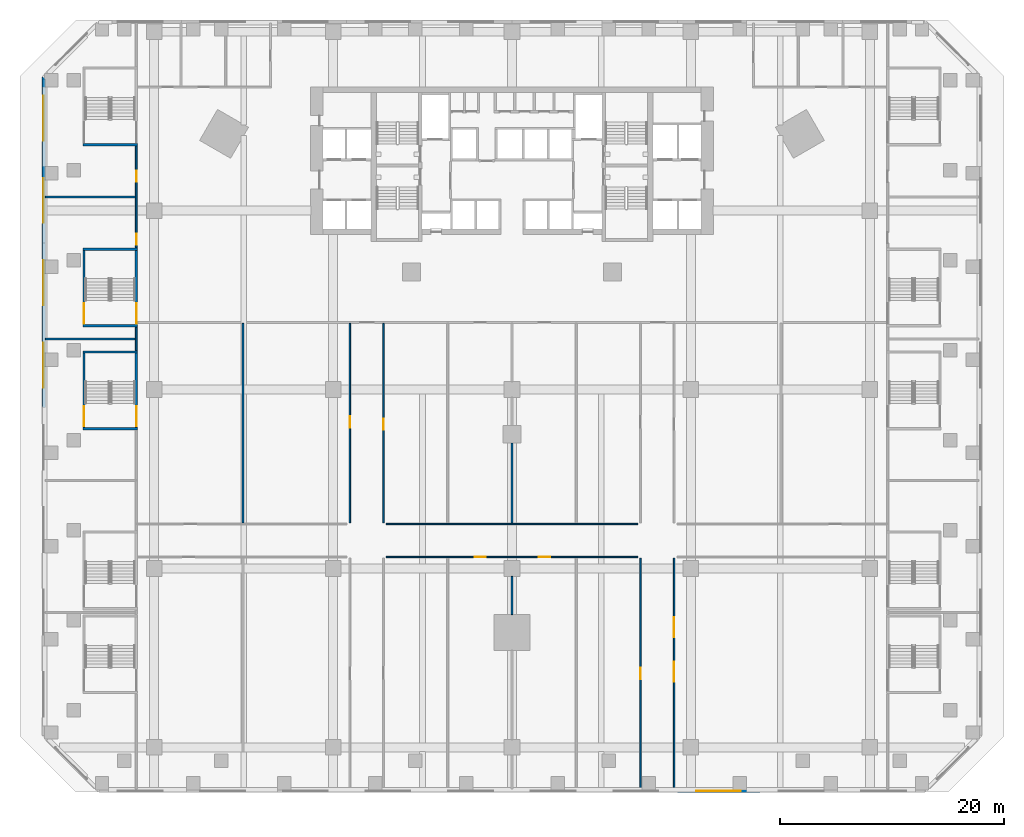
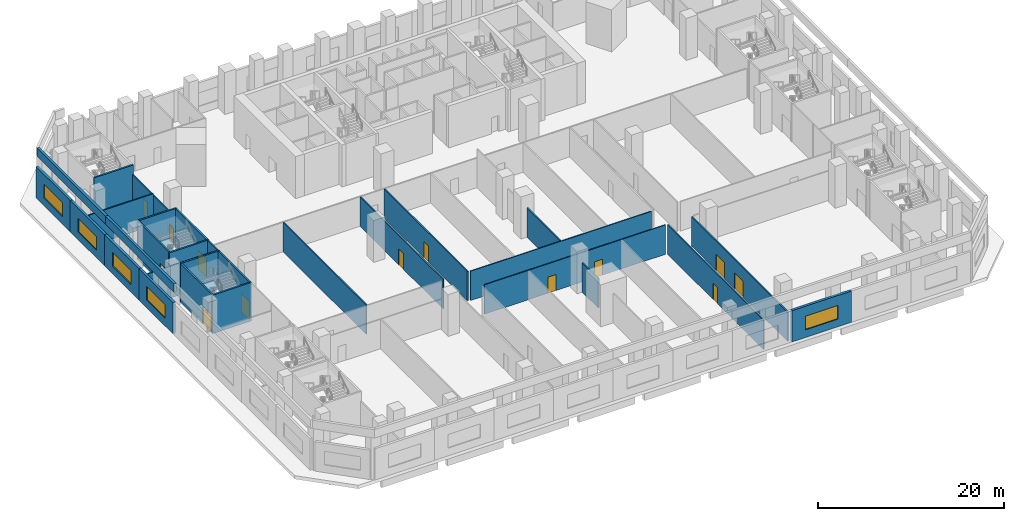
# One storey, part 5 of 22: 29 walls, 13 doors, 5 windows, 18 openings.
"""IFC4 building model written with IfcOpenShell, lengths in metres."""

from ifc_helpers import new_model, si_unit, direction, frame, frame_2d, origin, place, context, subcontext, project, spatial, rectangle, extrude, material, layer, layer_set, type_object, element, fill, save


model = new_model("IFC4")

# Units and contexts
model_context = context("Model", 3, precision=1e-05, world=origin(), true_north=direction((0.0, 1.0)))
body_context = subcontext(model_context, "Body", "Model", "MODEL_VIEW")
ifc_project = project(units=[si_unit("LENGTHUNIT", "METRE"), si_unit("AREAUNIT", "SQUARE_METRE"), si_unit("VOLUMEUNIT", "CUBIC_METRE"), si_unit("PLANEANGLEUNIT", "RADIAN"), si_unit("MASSUNIT", "GRAM", prefix="KILO")], contexts=[model_context])

# Site, building, storey
site_placement = place(None, origin())
site = spatial("IfcSite", under=ifc_project, at=site_placement, CompositionType="ELEMENT")
building_placement = place(site_placement, origin())
building = spatial("IfcBuilding", under=site, at=building_placement, Name="Calabash Gate Tower", CompositionType="ELEMENT")
storey_placement = place(building_placement, frame((0.0, 0.0, 34.5)))
storey = spatial("IfcBuildingStorey", under=building, at=storey_placement, Name="L04", CompositionType="ELEMENT", Elevation=34.5)

# Wall, opening, door
ifc_material_1 = material(Name="Gypsum board on steel studs, mineral wool", Category="steel")
ifc_layer_1 = layer(ifc_material_1, 0.14990234375)
ifc_layer_set_1 = layer_set([ifc_layer_1], Name="Partition 150 gypsum board")
wall_type_1 = type_object("IfcWallType", Name="Partition 150 gypsum board", PredefinedType="PARTITIONING", material=ifc_layer_set_1)
wall_1_placement = place(storey_placement, frame((11.5, -43.719970703125, 0.0), z_axis=(0.0, 0.0, 1.0), x_axis=(0.0, 1.0, 0.0)))
wall_1 = element("IfcWall", 1, at=wall_1_placement, inside=storey, type_object=wall_type_1, Name="Partition", PredefinedType="PARTITIONING", context=body_context, shape_type="SweptSolid", body=[
    extrude(rectangle(XDim=20.64501953125, YDim=0.14990234375, at=frame_2d((10.322509765625, 0.0))), origin(), (0.0, 0.0, 1.0), 3.85009765625),
])
opening_1_placement = place(wall_1_placement, frame((9.820068359375, 0.0, 0.0)))
opening_1 = element("IfcOpeningElement", 2, at=opening_1_placement, cuts=wall_1, Name="Opening L04-063", PredefinedType="OPENING", context=body_context, shape_type="SweptSolid", body=[
    extrude(rectangle(XDim=1.0, YDim=2.10009765625, at=frame_2d((0.5, 1.050048828125))), frame((0.0, 0.0849609375, 0.0), z_axis=(0.0, -1.0, 0.0), x_axis=(1.0, 0.0, 0.0)), (0.0, 0.0, 1.0), 0.169921875),
])
ifc_material_2 = material(Name="Steel fire door set with fire-resisting glazing", Category="steel")
door_type_1 = type_object("IfcDoorType", Name="Fire door D11 1000x2100 FD60", OperationType="NOTDEFINED", PredefinedType="DOOR", material=ifc_material_2)
door_1_placement = place(opening_1_placement, origin())
door_1 = element("IfcDoor", 3, at=door_1_placement, inside=storey, type_object=door_type_1, Name="Meeting Room 414 door", OperationType="SINGLE_SWING_LEFT", OverallHeight=2.10009765625, OverallWidth=1.0, PredefinedType="DOOR", context=body_context, shape_type="SweptSolid", body=[
    extrude(rectangle(XDim=1.0, YDim=2.10009765625, at=frame_2d((0.5, 1.050048828125))), frame((0.0, 0.02490234375, 0.0), z_axis=(0.0, -1.0, 0.0), x_axis=(1.0, 0.0, 0.0)), (0.0, 0.0, 1.0), 0.050048828125),
])
fill(opening_1, door_1)

# Wall, openings, doors
wall_2_placement = place(storey_placement, frame((14.5, -43.719970703125, 0.0), z_axis=(0.0, 0.0, 1.0), x_axis=(0.0, 1.0, 0.0)))
wall_2 = element("IfcWall", 4, at=wall_2_placement, inside=storey, type_object=wall_type_1, Name="Partition", PredefinedType="PARTITIONING", context=body_context, shape_type="SweptSolid", body=[
    extrude(rectangle(XDim=20.64501953125, YDim=0.14990234375, at=frame_2d((10.322509765625, 0.0))), origin(), (0.0, 0.0, 1.0), 3.85009765625),
])
opening_2_placement = place(wall_2_placement, frame((9.570068359375, 0.0, 0.0)))
opening_2 = element("IfcOpeningElement", 5, at=opening_2_placement, cuts=wall_2, Name="Opening L04-048", PredefinedType="OPENING", context=body_context, shape_type="SweptSolid", body=[
    extrude(rectangle(XDim=1.800048828125, YDim=2.10009765625, at=frame_2d((0.89990234375, 1.050048828125))), frame((0.0, 0.0849609375, 0.0), z_axis=(0.0, -1.0, 0.0), x_axis=(1.0, 0.0, 0.0)), (0.0, 0.0, 1.0), 0.169921875),
])
opening_3_placement = place(wall_2_placement, frame((13.570068359375, 0.0, 0.0)))
opening_3 = element("IfcOpeningElement", 6, at=opening_3_placement, cuts=wall_2, Name="Opening L04-049", PredefinedType="OPENING", context=body_context, shape_type="SweptSolid", body=[
    extrude(rectangle(XDim=1.800048828125, YDim=2.10009765625, at=frame_2d((0.89990234375, 1.050048828125))), frame((0.0, 0.0849609375, 0.0), z_axis=(0.0, -1.0, 0.0), x_axis=(1.0, 0.0, 0.0)), (0.0, 0.0, 1.0), 0.169921875),
])
ifc_material_3 = material(Name="Steel fire door set with fire-resisting glazing", Category="steel")
door_type_2 = type_object("IfcDoorType", Name="Double fire door D17 1800x2100 FD60", OperationType="DOUBLE_DOOR_SINGLE_SWING", PredefinedType="DOOR", material=ifc_material_3)
door_2_placement = place(opening_2_placement, origin())
door_2 = element("IfcDoor", 7, at=door_2_placement, inside=storey, type_object=door_type_2, Name="Business Centre door", OperationType="DOUBLE_DOOR_SINGLE_SWING", OverallHeight=2.10009765625, OverallWidth=1.800048828125, PredefinedType="DOOR", context=body_context, shape_type="SweptSolid", body=[
    extrude(rectangle(XDim=1.800048828125, YDim=2.10009765625, at=frame_2d((0.89990234375, 1.050048828125))), frame((0.0, 0.02490234375, 0.0), z_axis=(0.0, -1.0, 0.0), x_axis=(1.0, 0.0, 0.0)), (0.0, 0.0, 1.0), 0.050048828125),
])
fill(opening_2, door_2)
door_3_placement = place(opening_3_placement, origin())
door_3 = element("IfcDoor", 8, at=door_3_placement, inside=storey, type_object=door_type_2, Name="Business Centre door", OperationType="DOUBLE_DOOR_SINGLE_SWING", OverallHeight=2.10009765625, OverallWidth=1.800048828125, PredefinedType="DOOR", context=body_context, shape_type="SweptSolid", body=[
    extrude(rectangle(XDim=1.800048828125, YDim=2.10009765625, at=frame_2d((0.89990234375, 1.050048828125))), frame((0.0, 0.02490234375, 0.0), z_axis=(0.0, -1.0, 0.0), x_axis=(1.0, 0.0, 0.0)), (0.0, 0.0, 1.0), 0.050048828125),
])
fill(opening_3, door_3)

# Wall
wall_3_placement = place(storey_placement, frame((0.0, -28.133056640625, 0.0), z_axis=(0.0, 0.0, 1.0), x_axis=(0.0, 1.0, 0.0)))
element("IfcWall", 9, at=wall_3_placement, inside=storey, type_object=wall_type_1, Name="Partition", PredefinedType="PARTITIONING", context=body_context, shape_type="SweptSolid", body=[
    extrude(rectangle(XDim=3.43310546875, YDim=0.14990234375, at=frame_2d((1.716552734375, 0.0))), origin(), (0.0, 0.0, 1.0), 3.85009765625),
])

# Wall, openings, doors
wall_4_placement = place(storey_placement, frame((-11.22998046875, -22.982421875, 0.0), z_axis=(0.0, 0.0, 1.0), x_axis=(1.0, 0.0, 0.0)))
wall_4 = element("IfcWall", 10, at=wall_4_placement, inside=storey, type_object=wall_type_1, Name="Partition", PredefinedType="PARTITIONING", context=body_context, shape_type="SweptSolid", body=[
    extrude(rectangle(XDim=22.4599609375, YDim=0.114990234375, at=frame_2d((11.22998046875, 0.0))), origin(), (0.0, 0.0, 1.0), 3.85009765625),
])
opening_4_placement = place(wall_4_placement, frame((7.8798828125, 0.0, 0.0)))
opening_4 = element("IfcOpeningElement", 11, at=opening_4_placement, cuts=wall_4, Name="Opening L04-061", PredefinedType="OPENING", context=body_context, shape_type="SweptSolid", body=[
    extrude(rectangle(XDim=1.0, YDim=2.10009765625, at=frame_2d((0.5, 1.050048828125))), frame((0.0, 0.0673828125, 0.0), z_axis=(0.0, -1.0, 0.0), x_axis=(1.0, 0.0, 0.0)), (0.0, 0.0, 1.0), 0.135009765625),
])
opening_5_placement = place(wall_4_placement, frame((13.6298828125, 0.0, 0.0)))
opening_5 = element("IfcOpeningElement", 12, at=opening_5_placement, cuts=wall_4, Name="Opening L04-062", PredefinedType="OPENING", context=body_context, shape_type="SweptSolid", body=[
    extrude(rectangle(XDim=1.0, YDim=2.10009765625, at=frame_2d((0.5, 1.050048828125))), frame((0.0, 0.0673828125, 0.0), z_axis=(0.0, -1.0, 0.0), x_axis=(1.0, 0.0, 0.0)), (0.0, 0.0, 1.0), 0.135009765625),
])
door_4_placement = place(opening_4_placement, origin())
door_4 = element("IfcDoor", 13, at=door_4_placement, inside=storey, type_object=door_type_1, Name="Meeting Room 412 door", OperationType="SINGLE_SWING_RIGHT", OverallHeight=2.10009765625, OverallWidth=1.0, PredefinedType="DOOR", context=body_context, shape_type="SweptSolid", body=[
    extrude(rectangle(XDim=1.0, YDim=2.10009765625, at=frame_2d((0.5, 1.050048828125))), frame((0.0, 0.02490234375, 0.0), z_axis=(0.0, -1.0, 0.0), x_axis=(1.0, 0.0, 0.0)), (0.0, 0.0, 1.0), 0.050048828125),
])
fill(opening_4, door_4)
door_5_placement = place(opening_5_placement, origin())
door_5 = element("IfcDoor", 14, at=door_5_placement, inside=storey, type_object=door_type_1, Name="Meeting Room 413 door", OperationType="SINGLE_SWING_LEFT", OverallHeight=2.10009765625, OverallWidth=1.0, PredefinedType="DOOR", context=body_context, shape_type="SweptSolid", body=[
    extrude(rectangle(XDim=1.0, YDim=2.10009765625, at=frame_2d((0.5, 1.050048828125))), frame((0.0, 0.02490234375, 0.0), z_axis=(0.0, -1.0, 0.0), x_axis=(1.0, 0.0, 0.0)), (0.0, 0.0, 1.0), 0.050048828125),
])
fill(opening_5, door_5)

# Walls
wall_5_placement = place(storey_placement, frame((-11.22998046875, -20.017578125, 0.0), z_axis=(0.0, 0.0, 1.0), x_axis=(1.0, 0.0, 0.0)))
element("IfcWall", 15, at=wall_5_placement, inside=storey, type_object=wall_type_1, Name="Partition", PredefinedType="PARTITIONING", context=body_context, shape_type="SweptSolid", body=[
    extrude(rectangle(XDim=22.4599609375, YDim=0.114990234375, at=frame_2d((11.22998046875, 0.0))), origin(), (0.0, 0.0, 1.0), 3.85009765625),
])
wall_6_placement = place(storey_placement, frame((-24.050048828125, -19.925048828125, 0.0), z_axis=(0.0, 0.0, 1.0), x_axis=(0.0, 1.0, 0.0)))
element("IfcWall", 16, at=wall_6_placement, inside=storey, type_object=wall_type_1, Name="Partition", PredefinedType="PARTITIONING", context=body_context, shape_type="SweptSolid", body=[
    extrude(rectangle(XDim=17.85009765625, YDim=0.14990234375, at=frame_2d((8.925048828125, 0.0))), origin(), (0.0, 0.0, 1.0), 3.85009765625),
])

# Wall, opening, door
wall_7_placement = place(storey_placement, frame((-14.5, -19.925048828125, 0.0), z_axis=(0.0, 0.0, 1.0), x_axis=(0.0, 1.0, 0.0)))
wall_7 = element("IfcWall", 17, at=wall_7_placement, inside=storey, type_object=wall_type_1, Name="Partition", PredefinedType="PARTITIONING", context=body_context, shape_type="SweptSolid", body=[
    extrude(rectangle(XDim=17.85009765625, YDim=0.14990234375, at=frame_2d((8.925048828125, 0.0))), origin(), (0.0, 0.0, 1.0), 3.85009765625),
])
opening_6_placement = place(wall_7_placement, frame((8.52490234375, 0.0, 0.0)))
opening_6 = element("IfcOpeningElement", 18, at=opening_6_placement, cuts=wall_7, Name="Opening L04-051", PredefinedType="OPENING", context=body_context, shape_type="SweptSolid", body=[
    extrude(rectangle(XDim=1.0, YDim=2.10009765625, at=frame_2d((0.5, 1.050048828125))), frame((0.0, 0.0849609375, 0.0), z_axis=(0.0, -1.0, 0.0), x_axis=(1.0, 0.0, 0.0)), (0.0, 0.0, 1.0), 0.169921875),
])
door_6_placement = place(opening_6_placement, origin())
door_6 = element("IfcDoor", 19, at=door_6_placement, inside=storey, type_object=door_type_1, Name="Meeting Room 402 door", OperationType="SINGLE_SWING_LEFT", OverallHeight=2.10009765625, OverallWidth=1.0, PredefinedType="DOOR", context=body_context, shape_type="SweptSolid", body=[
    extrude(rectangle(XDim=1.0, YDim=2.10009765625, at=frame_2d((0.5, 1.050048828125))), frame((0.0, 0.02490234375, 0.0), z_axis=(0.0, -1.0, 0.0), x_axis=(1.0, 0.0, 0.0)), (0.0, 0.0, 1.0), 0.050048828125),
])
fill(opening_6, door_6)

wall_8_placement = place(storey_placement, frame((-11.5, -19.925048828125, 0.0), z_axis=(0.0, 0.0, 1.0), x_axis=(0.0, 1.0, 0.0)))
wall_8 = element("IfcWall", 20, at=wall_8_placement, inside=storey, type_object=wall_type_1, Name="Partition", PredefinedType="PARTITIONING", context=body_context, shape_type="SweptSolid", body=[
    extrude(rectangle(XDim=17.85009765625, YDim=0.14990234375, at=frame_2d((8.925048828125, 0.0))), origin(), (0.0, 0.0, 1.0), 3.85009765625),
])
opening_7_placement = place(wall_8_placement, frame((8.324951171875, 0.0, 0.0)))
opening_7 = element("IfcOpeningElement", 21, at=opening_7_placement, cuts=wall_8, Name="Opening L04-052", PredefinedType="OPENING", context=body_context, shape_type="SweptSolid", body=[
    extrude(rectangle(XDim=1.0, YDim=2.10009765625, at=frame_2d((0.5, 1.050048828125))), frame((0.0, 0.0849609375, 0.0), z_axis=(0.0, -1.0, 0.0), x_axis=(1.0, 0.0, 0.0)), (0.0, 0.0, 1.0), 0.169921875),
])
door_7_placement = place(opening_7_placement, origin())
door_7 = element("IfcDoor", 22, at=door_7_placement, inside=storey, type_object=door_type_1, Name="Meeting Room 403 door", OperationType="SINGLE_SWING_LEFT", OverallHeight=2.10009765625, OverallWidth=1.0, PredefinedType="DOOR", context=body_context, shape_type="SweptSolid", body=[
    extrude(rectangle(XDim=1.0, YDim=2.10009765625, at=frame_2d((0.5, 1.050048828125))), frame((0.0, 0.02490234375, 0.0), z_axis=(0.0, -1.0, 0.0), x_axis=(1.0, 0.0, 0.0)), (0.0, 0.0, 1.0), 0.050048828125),
])
fill(opening_7, door_7)

# Walls
wall_9_placement = place(storey_placement, frame((0.0, -19.925048828125, 0.0), z_axis=(0.0, 0.0, 1.0), x_axis=(0.0, 1.0, 0.0)))
element("IfcWall", 23, at=wall_9_placement, inside=storey, type_object=wall_type_1, Name="Partition", PredefinedType="PARTITIONING", context=body_context, shape_type="SweptSolid", body=[
    extrude(rectangle(XDim=7.125, YDim=0.14990234375, at=frame_2d((3.5625, 0.0))), origin(), (0.0, 0.0, 1.0), 3.85009765625),
])
wall_10_placement = place(storey_placement, frame((-33.60009765625, -4.510009765625, 0.0), z_axis=(0.0, 0.0, 1.0), x_axis=(0.0, 1.0, 0.0)))
element("IfcWall", 24, at=wall_10_placement, inside=storey, type_object=wall_type_1, Name="Partition", PredefinedType="PARTITIONING", context=body_context, shape_type="SweptSolid", body=[
    extrude(rectangle(XDim=2.070068359375, YDim=0.14990234375, at=frame_2d((1.03515625, 0.0))), origin(), (0.0, 0.0, 1.0), 5.050048828125),
])
wall_11_placement = place(storey_placement, frame((-41.719970703125, -3.47509765625, 0.0), z_axis=(0.0, 0.0, 1.0), x_axis=(1.0, 0.0, 0.0)))
element("IfcWall", 25, at=wall_11_placement, inside=storey, type_object=wall_type_1, Name="Partition", PredefinedType="PARTITIONING", context=body_context, shape_type="SweptSolid", body=[
    extrude(rectangle(XDim=8.044921875, YDim=0.14990234375, at=frame_2d((4.0224609375, 0.0))), origin(), (0.0, 0.0, 1.0), 4.14990234375),
])

# Wall, openings, doors
wall_12_placement = place(storey_placement, frame((-33.60009765625, 4.68994140625, 0.0), z_axis=(0.0, 0.0, 1.0), x_axis=(0.0, 1.0, 0.0)))
wall_12 = element("IfcWall", 26, at=wall_12_placement, inside=storey, type_object=wall_type_1, Name="Partition", PredefinedType="PARTITIONING", context=body_context, shape_type="SweptSolid", body=[
    extrude(rectangle(XDim=9.070068359375, YDim=0.14990234375, at=frame_2d((4.53515625, 0.0))), origin(), (0.0, 0.0, 1.0), 3.85009765625),
])
opening_8_placement = place(wall_12_placement, frame((0.260986328125, 0.0, 0.0)))
opening_8 = element("IfcOpeningElement", 27, at=opening_8_placement, cuts=wall_12, Name="Opening L04-064", PredefinedType="OPENING", context=body_context, shape_type="SweptSolid", body=[
    extrude(rectangle(XDim=1.0, YDim=2.10009765625, at=frame_2d((0.5, 1.050048828125))), frame((0.0, 0.0849609375, 0.0), z_axis=(0.0, -1.0, 0.0), x_axis=(1.0, 0.0, 0.0)), (0.0, 0.0, 1.0), 0.169921875),
])
opening_9_placement = place(wall_12_placement, frame((5.885009765625, 0.0, 0.0)))
opening_9 = element("IfcOpeningElement", 28, at=opening_9_placement, cuts=wall_12, Name="Opening L04-065", PredefinedType="OPENING", context=body_context, shape_type="SweptSolid", body=[
    extrude(rectangle(XDim=1.0, YDim=2.10009765625, at=frame_2d((0.5, 1.050048828125))), frame((0.0, 0.0849609375, 0.0), z_axis=(0.0, -1.0, 0.0), x_axis=(1.0, 0.0, 0.0)), (0.0, 0.0, 1.0), 0.169921875),
])
door_8_placement = place(opening_8_placement, origin())
door_8 = element("IfcDoor", 29, at=door_8_placement, inside=storey, type_object=door_type_1, Name="Meeting Room 443 door", OperationType="SINGLE_SWING_LEFT", OverallHeight=2.10009765625, OverallWidth=1.0, PredefinedType="DOOR", context=body_context, shape_type="SweptSolid", body=[
    extrude(rectangle(XDim=1.0, YDim=2.10009765625, at=frame_2d((0.5, 1.050048828125))), frame((0.0, 0.02490234375, 0.0), z_axis=(0.0, -1.0, 0.0), x_axis=(1.0, 0.0, 0.0)), (0.0, 0.0, 1.0), 0.050048828125),
])
fill(opening_8, door_8)
door_9_placement = place(opening_9_placement, origin())
door_9 = element("IfcDoor", 30, at=door_9_placement, inside=storey, type_object=door_type_1, Name="Print Room door", OperationType="SINGLE_SWING_LEFT", OverallHeight=2.10009765625, OverallWidth=1.0, PredefinedType="DOOR", context=body_context, shape_type="SweptSolid", body=[
    extrude(rectangle(XDim=1.0, YDim=2.10009765625, at=frame_2d((0.5, 1.050048828125))), frame((0.0, 0.02490234375, 0.0), z_axis=(0.0, -1.0, 0.0), x_axis=(1.0, 0.0, 0.0)), (0.0, 0.0, 1.0), 0.050048828125),
])
fill(opening_9, door_9)

# Wall
wall_13_placement = place(storey_placement, frame((-41.719970703125, 9.22509765625, 0.0), z_axis=(0.0, 0.0, 1.0), x_axis=(1.0, 0.0, 0.0)))
element("IfcWall", 31, at=wall_13_placement, inside=storey, type_object=wall_type_1, Name="Partition", PredefinedType="PARTITIONING", context=body_context, shape_type="SweptSolid", body=[
    extrude(rectangle(XDim=8.044921875, YDim=0.14990234375, at=frame_2d((4.0224609375, 0.0))), origin(), (0.0, 0.0, 1.0), 4.14990234375),
])

# Wall, opening, window
ifc_material_4 = material(Name="Terracotta brick masonry, exposed face", Category="masonry")
ifc_layer_2 = layer(ifc_material_4, 0.300048828125)
ifc_layer_set_2 = layer_set([ifc_layer_2], Name="Podium brick wall 300")
wall_type_2 = type_object("IfcWallType", Name="Podium brick wall 300", PredefinedType="SOLIDWALL", material=ifc_layer_set_2)
wall_14_placement = place(storey_placement, frame((14.780029296875, -43.89990234375, 0.0), z_axis=(0.0, 0.0, 1.0), x_axis=(1.0, 0.0, 0.0)))
wall_14 = element("IfcWall", 32, at=wall_14_placement, inside=storey, type_object=wall_type_2, Name="Podium brick wall L04 0.0.7", PredefinedType="SOLIDWALL", context=body_context, shape_type="SweptSolid", body=[
    extrude(rectangle(XDim=7.389892578125, YDim=0.300048828125, at=frame_2d((3.69482421875, 0.0))), origin(), (0.0, 0.0, 1.0), 4.10009765625),
])
opening_10_placement = place(wall_14_placement, frame((1.695068359375, 0.0, 1.0)))
opening_10 = element("IfcOpeningElement", 33, at=opening_10_placement, cuts=wall_14, Name="Opening WM1", PredefinedType="OPENING", context=body_context, shape_type="SweptSolid", body=[
    extrude(rectangle(XDim=4.0, YDim=1.800048828125, at=frame_2d((2.0, 0.89990234375))), frame((0.0, 0.159912109375, 0.0), z_axis=(0.0, -1.0, 0.0), x_axis=(1.0, 0.0, 0.0)), (0.0, 0.0, 1.0), 0.320068359375),
])
ifc_material_5 = material(Name="Anodised aluminium frame, bronze finish, impact-rated laminated clear glazing", Category="aluminium")
window_type = type_object("IfcWindowType", Name="Window WM1 4000x1800", PartitioningType="TRIPLE_PANEL_VERTICAL", PredefinedType="WINDOW", material=ifc_material_5)
window_1_placement = place(opening_10_placement, origin())
window_1 = element("IfcWindow", 34, at=window_1_placement, inside=storey, type_object=window_type, Name="Meeting room window L04 0.0.7", OverallHeight=1.800048828125, OverallWidth=4.0, PartitioningType="SINGLE_PANEL", PredefinedType="WINDOW", context=body_context, shape_type="SweptSolid", body=[
    extrude(rectangle(XDim=4.0, YDim=1.800048828125, at=frame_2d((2.0, 0.89990234375))), frame((0.0, 0.030029296875, 0.0), z_axis=(0.0, -1.0, 0.0), x_axis=(1.0, 0.0, 0.0)), (0.0, 0.0, 1.0), 0.06005859375),
])
fill(opening_10, window_1)

wall_15_placement = place(storey_placement, frame((-41.89990234375, 19.949951171875, 0.0), z_axis=(0.0, 0.0, 1.0), x_axis=(0.0, -1.0, 0.0)))
wall_15 = element("IfcWall", 35, at=wall_15_placement, inside=storey, type_object=wall_type_2, Name="Podium brick wall L04 6.0.0", PredefinedType="SOLIDWALL", context=body_context, shape_type="SweptSolid", body=[
    extrude(rectangle(XDim=7.362548828125, YDim=0.300048828125, at=frame_2d((3.68115234375, 0.0))), origin(), (0.0, 0.0, 1.0), 4.10009765625),
])
opening_11_placement = place(wall_15_placement, frame((1.68115234375, 0.0, 1.0)))
opening_11 = element("IfcOpeningElement", 36, at=opening_11_placement, cuts=wall_15, Name="Opening WM1", PredefinedType="OPENING", context=body_context, shape_type="SweptSolid", body=[
    extrude(rectangle(XDim=4.0, YDim=1.800048828125, at=frame_2d((2.0, 0.89990234375))), frame((0.0, 0.159912109375, 0.0), z_axis=(0.0, -1.0, 0.0), x_axis=(1.0, 0.0, 0.0)), (0.0, 0.0, 1.0), 0.320068359375),
])
window_2_placement = place(opening_11_placement, origin())
window_2 = element("IfcWindow", 37, at=window_2_placement, inside=storey, type_object=window_type, Name="Meeting room window L04 6.0.0", OverallHeight=1.800048828125, OverallWidth=4.0, PartitioningType="SINGLE_PANEL", PredefinedType="WINDOW", context=body_context, shape_type="SweptSolid", body=[
    extrude(rectangle(XDim=4.0, YDim=1.800048828125, at=frame_2d((2.0, 0.89990234375))), frame((0.0, 0.030029296875, 0.0), z_axis=(0.0, -1.0, 0.0), x_axis=(1.0, 0.0, 0.0)), (0.0, 0.0, 1.0), 0.06005859375),
])
fill(opening_11, window_2)

wall_16_placement = place(storey_placement, frame((-41.89990234375, 12.58740234375, 0.0), z_axis=(0.0, 0.0, 1.0), x_axis=(0.0, -1.0, 0.0)))
wall_16 = element("IfcWall", 38, at=wall_16_placement, inside=storey, type_object=wall_type_2, Name="Podium brick wall L04 6.0.1", PredefinedType="SOLIDWALL", context=body_context, shape_type="SweptSolid", body=[
    extrude(rectangle(XDim=7.3623046875, YDim=0.300048828125, at=frame_2d((3.68115234375, 0.0))), origin(), (0.0, 0.0, 1.0), 4.10009765625),
])
opening_12_placement = place(wall_16_placement, frame((1.68115234375, 0.0, 1.0)))
opening_12 = element("IfcOpeningElement", 39, at=opening_12_placement, cuts=wall_16, Name="Opening WM1", PredefinedType="OPENING", context=body_context, shape_type="SweptSolid", body=[
    extrude(rectangle(XDim=4.0, YDim=1.800048828125, at=frame_2d((2.0, 0.89990234375))), frame((0.0, 0.159912109375, 0.0), z_axis=(0.0, -1.0, 0.0), x_axis=(1.0, 0.0, 0.0)), (0.0, 0.0, 1.0), 0.320068359375),
])
window_3_placement = place(opening_12_placement, origin())
window_3 = element("IfcWindow", 40, at=window_3_placement, inside=storey, type_object=window_type, Name="Meeting room window L04 6.0.1", OverallHeight=1.800048828125, OverallWidth=4.0, PartitioningType="SINGLE_PANEL", PredefinedType="WINDOW", context=body_context, shape_type="SweptSolid", body=[
    extrude(rectangle(XDim=4.0, YDim=1.800048828125, at=frame_2d((2.0, 0.89990234375))), frame((0.0, 0.030029296875, 0.0), z_axis=(0.0, -1.0, 0.0), x_axis=(1.0, 0.0, 0.0)), (0.0, 0.0, 1.0), 0.06005859375),
])
fill(opening_12, window_3)

wall_17_placement = place(storey_placement, frame((-41.89990234375, 5.22509765625, 0.0), z_axis=(0.0, 0.0, 1.0), x_axis=(0.0, -1.0, 0.0)))
wall_17 = element("IfcWall", 41, at=wall_17_placement, inside=storey, type_object=wall_type_2, Name="Podium brick wall L04 6.0.2", PredefinedType="SOLIDWALL", context=body_context, shape_type="SweptSolid", body=[
    extrude(rectangle(XDim=7.362548828125, YDim=0.300048828125, at=frame_2d((3.68115234375, 0.0))), origin(), (0.0, 0.0, 1.0), 4.10009765625),
])
opening_13_placement = place(wall_17_placement, frame((1.68115234375, 0.0, 1.0)))
opening_13 = element("IfcOpeningElement", 42, at=opening_13_placement, cuts=wall_17, Name="Opening WM1", PredefinedType="OPENING", context=body_context, shape_type="SweptSolid", body=[
    extrude(rectangle(XDim=4.0, YDim=1.800048828125, at=frame_2d((2.0, 0.89990234375))), frame((0.0, 0.159912109375, 0.0), z_axis=(0.0, -1.0, 0.0), x_axis=(1.0, 0.0, 0.0)), (0.0, 0.0, 1.0), 0.320068359375),
])
window_4_placement = place(opening_13_placement, origin())
window_4 = element("IfcWindow", 43, at=window_4_placement, inside=storey, type_object=window_type, Name="Meeting room window L04 6.0.2", OverallHeight=1.800048828125, OverallWidth=4.0, PartitioningType="SINGLE_PANEL", PredefinedType="WINDOW", context=body_context, shape_type="SweptSolid", body=[
    extrude(rectangle(XDim=4.0, YDim=1.800048828125, at=frame_2d((2.0, 0.89990234375))), frame((0.0, 0.030029296875, 0.0), z_axis=(0.0, -1.0, 0.0), x_axis=(1.0, 0.0, 0.0)), (0.0, 0.0, 1.0), 0.06005859375),
])
fill(opening_13, window_4)

wall_18_placement = place(storey_placement, frame((-41.89990234375, -2.137451171875, 0.0), z_axis=(0.0, 0.0, 1.0), x_axis=(0.0, -1.0, 0.0)))
wall_18 = element("IfcWall", 44, at=wall_18_placement, inside=storey, type_object=wall_type_2, Name="Podium brick wall L04 6.0.3", PredefinedType="SOLIDWALL", context=body_context, shape_type="SweptSolid", body=[
    extrude(rectangle(XDim=7.362548828125, YDim=0.300048828125, at=frame_2d((3.68115234375, 0.0))), origin(), (0.0, 0.0, 1.0), 4.10009765625),
])
opening_14_placement = place(wall_18_placement, frame((1.68115234375, 0.0, 1.0)))
opening_14 = element("IfcOpeningElement", 45, at=opening_14_placement, cuts=wall_18, Name="Opening WM1", PredefinedType="OPENING", context=body_context, shape_type="SweptSolid", body=[
    extrude(rectangle(XDim=4.0, YDim=1.800048828125, at=frame_2d((2.0, 0.89990234375))), frame((0.0, 0.159912109375, 0.0), z_axis=(0.0, -1.0, 0.0), x_axis=(1.0, 0.0, 0.0)), (0.0, 0.0, 1.0), 0.320068359375),
])
window_5_placement = place(opening_14_placement, origin())
window_5 = element("IfcWindow", 46, at=window_5_placement, inside=storey, type_object=window_type, Name="Meeting room window L04 6.0.3", OverallHeight=1.800048828125, OverallWidth=4.0, PartitioningType="SINGLE_PANEL", PredefinedType="WINDOW", context=body_context, shape_type="SweptSolid", body=[
    extrude(rectangle(XDim=4.0, YDim=1.800048828125, at=frame_2d((2.0, 0.89990234375))), frame((0.0, 0.030029296875, 0.0), z_axis=(0.0, -1.0, 0.0), x_axis=(1.0, 0.0, 0.0)), (0.0, 0.0, 1.0), 0.06005859375),
])
fill(opening_14, window_5)

# Walls
ifc_material_6 = material(Name="Terracotta brick masonry, exposed face", Category="masonry")
ifc_layer_3 = layer(ifc_material_6, 0.300048828125)
ifc_layer_set_3 = layer_set([ifc_layer_3], Name="Podium parapet wall 300")
wall_type_3 = type_object("IfcWallType", Name="Podium parapet wall 300", PredefinedType="PARAPET", material=ifc_layer_set_3)
for number, where, z_axis, x_axis, name in (
    (47, (-41.85009765625, 19.7900390625, 5.5), (0.0, 0.0, 1.0), (0.0, -1.0, 0.0), "Podium parapet L04 6.0.0"),
    (48, (-41.85009765625, 5.092529296875, 5.5), (0.0, 0.0, 1.0), (0.0, -1.0, 0.0), "Podium parapet L04 6.0.1"),
):
    element("IfcWall", number, at=place(storey_placement, frame(where, z_axis=z_axis, x_axis=x_axis)), inside=storey, type_object=wall_type_3, Name=name, PredefinedType="PARAPET", context=body_context, shape_type="SweptSolid", body=[
        extrude(rectangle(XDim=14.697509765625, YDim=0.300048828125, at=frame_2d((7.3486328125, 0.0))), origin(), (0.0, 0.0, 1.0), 1.10009765625),
    ])
ifc_material_7 = material(Name="Concrete C40/50", Category="concrete")
ifc_layer_4 = layer(ifc_material_7, 0.199951171875)
ifc_layer_set_4 = layer_set([ifc_layer_4], Name="Stair wall 200 Concrete C40/50")
wall_type_4 = type_object("IfcWallType", Name="Stair wall 200 Concrete C40/50", PredefinedType="SOLIDWALL", material=ifc_layer_set_4)
for number, where, z_axis, x_axis, name in (
    (49, (-38.3701171875, -11.5, 0.0), (0.0, 0.0, 1.0), (1.0, 0.0, 0.0), "Stair wall"),
    (50, (-38.3701171875, -4.64990234375, 0.0), (0.0, 0.0, 1.0), (1.0, 0.0, 0.0), "Stair wall"),
):
    element("IfcWall", number, at=place(storey_placement, frame(where, z_axis=z_axis, x_axis=x_axis)), inside=storey, type_object=wall_type_4, Name=name, PredefinedType="SOLIDWALL", context=body_context, shape_type="SweptSolid", body=[
        extrude(rectangle(XDim=4.8701171875, YDim=0.199951171875, at=frame_2d((2.43505859375, 0.0))), origin(), (0.0, 0.0, 1.0), 5.050048828125),
    ])

# Wall, opening, door
wall_19_placement = place(storey_placement, frame((-38.27001953125, -11.39990234375, 0.0), z_axis=(0.0, 0.0, 1.0), x_axis=(0.0, 1.0, 0.0)))
wall_19 = element("IfcWall", 51, at=wall_19_placement, inside=storey, type_object=wall_type_4, Name="Stair wall", PredefinedType="SOLIDWALL", context=body_context, shape_type="SweptSolid", body=[
    extrude(rectangle(XDim=6.64990234375, YDim=0.199951171875, at=frame_2d((3.324951171875, 0.0))), origin(), (0.0, 0.0, 1.0), 5.050048828125),
])
opening_15_placement = place(wall_19_placement, frame((0.10009765625, 0.0, 0.0)))
opening_15 = element("IfcOpeningElement", 52, at=opening_15_placement, cuts=wall_19, Name="Opening L04-025", PredefinedType="OPENING", context=body_context, shape_type="SweptSolid", body=[
    extrude(rectangle(XDim=1.800048828125, YDim=2.39990234375, at=frame_2d((0.89990234375, 1.199951171875))), frame((0.0, 0.10986328125, 0.0), z_axis=(0.0, -1.0, 0.0), x_axis=(1.0, 0.0, 0.0)), (0.0, 0.0, 1.0), 0.219970703125),
])
ifc_material_8 = material(Name="Steel fire door set with fire-resisting glazing", Category="steel")
door_type_3 = type_object("IfcDoorType", Name="Double fire door D16 1800x2400 FD90", OperationType="DOUBLE_DOOR_SINGLE_SWING", PredefinedType="DOOR", material=ifc_material_8)
door_10_placement = place(opening_15_placement, origin())
door_10 = element("IfcDoor", 53, at=door_10_placement, inside=storey, type_object=door_type_3, Name="Exit stair door PS3", OperationType="DOUBLE_DOOR_SINGLE_SWING", OverallHeight=2.39990234375, OverallWidth=1.800048828125, PredefinedType="DOOR", context=body_context, shape_type="SweptSolid", body=[
    extrude(rectangle(XDim=1.800048828125, YDim=2.39990234375, at=frame_2d((0.89990234375, 1.199951171875))), frame((0.0, 0.02490234375, 0.0), z_axis=(0.0, -1.0, 0.0), x_axis=(1.0, 0.0, 0.0)), (0.0, 0.0, 1.0), 0.050048828125),
])
fill(opening_15, door_10)

wall_20_placement = place(storey_placement, frame((-33.60009765625, -11.39990234375, 0.0), z_axis=(0.0, 0.0, 1.0), x_axis=(0.0, 1.0, 0.0)))
wall_20 = element("IfcWall", 54, at=wall_20_placement, inside=storey, type_object=wall_type_4, Name="Stair wall", PredefinedType="SOLIDWALL", context=body_context, shape_type="SweptSolid", body=[
    extrude(rectangle(XDim=6.64990234375, YDim=0.199951171875, at=frame_2d((3.324951171875, 0.0))), origin(), (0.0, 0.0, 1.0), 5.050048828125),
])
opening_16_placement = place(wall_20_placement, frame((0.10009765625, 0.0, 0.0)))
opening_16 = element("IfcOpeningElement", 55, at=opening_16_placement, cuts=wall_20, Name="Opening L04-024", PredefinedType="OPENING", context=body_context, shape_type="SweptSolid", body=[
    extrude(rectangle(XDim=1.800048828125, YDim=2.39990234375, at=frame_2d((0.89990234375, 1.199951171875))), frame((0.0, 0.10986328125, 0.0), z_axis=(0.0, -1.0, 0.0), x_axis=(1.0, 0.0, 0.0)), (0.0, 0.0, 1.0), 0.219970703125),
])
door_11_placement = place(opening_16_placement, origin())
door_11 = element("IfcDoor", 56, at=door_11_placement, inside=storey, type_object=door_type_3, Name="Exit stair door PS3", OperationType="DOUBLE_DOOR_SINGLE_SWING", OverallHeight=2.39990234375, OverallWidth=1.800048828125, PredefinedType="DOOR", context=body_context, shape_type="SweptSolid", body=[
    extrude(rectangle(XDim=1.800048828125, YDim=2.39990234375, at=frame_2d((0.89990234375, 1.199951171875))), frame((0.0, 0.02490234375, 0.0), z_axis=(0.0, -1.0, 0.0), x_axis=(1.0, 0.0, 0.0)), (0.0, 0.0, 1.0), 0.050048828125),
])
fill(opening_16, door_11)

# Walls
for number, where, z_axis, x_axis, name in (
    (57, (-38.3701171875, -2.300048828125, 0.0), (0.0, 0.0, 1.0), (1.0, 0.0, 0.0), "Stair wall"),
    (58, (-38.3701171875, 4.550048828125, 0.0), (0.0, 0.0, 1.0), (1.0, 0.0, 0.0), "Stair wall"),
):
    element("IfcWall", number, at=place(storey_placement, frame(where, z_axis=z_axis, x_axis=x_axis)), inside=storey, type_object=wall_type_4, Name=name, PredefinedType="SOLIDWALL", context=body_context, shape_type="SweptSolid", body=[
        extrude(rectangle(XDim=4.8701171875, YDim=0.199951171875, at=frame_2d((2.43505859375, 0.0))), origin(), (0.0, 0.0, 1.0), 5.050048828125),
    ])

# Wall, opening, door
wall_21_placement = place(storey_placement, frame((-38.27001953125, -2.199951171875, 0.0), z_axis=(0.0, 0.0, 1.0), x_axis=(0.0, 1.0, 0.0)))
wall_21 = element("IfcWall", 59, at=wall_21_placement, inside=storey, type_object=wall_type_4, Name="Stair wall", PredefinedType="SOLIDWALL", context=body_context, shape_type="SweptSolid", body=[
    extrude(rectangle(XDim=6.64990234375, YDim=0.199951171875, at=frame_2d((3.324951171875, 0.0))), origin(), (0.0, 0.0, 1.0), 5.050048828125),
])
opening_17_placement = place(wall_21_placement, frame((0.10009765625, 0.0, 0.0)))
opening_17 = element("IfcOpeningElement", 60, at=opening_17_placement, cuts=wall_21, Name="Opening L04-027", PredefinedType="OPENING", context=body_context, shape_type="SweptSolid", body=[
    extrude(rectangle(XDim=1.800048828125, YDim=2.39990234375, at=frame_2d((0.89990234375, 1.199951171875))), frame((0.0, 0.10986328125, 0.0), z_axis=(0.0, -1.0, 0.0), x_axis=(1.0, 0.0, 0.0)), (0.0, 0.0, 1.0), 0.219970703125),
])
door_12_placement = place(opening_17_placement, origin())
door_12 = element("IfcDoor", 61, at=door_12_placement, inside=storey, type_object=door_type_3, Name="Exit stair door PS4", OperationType="DOUBLE_DOOR_SINGLE_SWING", OverallHeight=2.39990234375, OverallWidth=1.800048828125, PredefinedType="DOOR", context=body_context, shape_type="SweptSolid", body=[
    extrude(rectangle(XDim=1.800048828125, YDim=2.39990234375, at=frame_2d((0.89990234375, 1.199951171875))), frame((0.0, 0.02490234375, 0.0), z_axis=(0.0, -1.0, 0.0), x_axis=(1.0, 0.0, 0.0)), (0.0, 0.0, 1.0), 0.050048828125),
])
fill(opening_17, door_12)

wall_22_placement = place(storey_placement, frame((-33.60009765625, -2.199951171875, 0.0), z_axis=(0.0, 0.0, 1.0), x_axis=(0.0, 1.0, 0.0)))
wall_22 = element("IfcWall", 62, at=wall_22_placement, inside=storey, type_object=wall_type_4, Name="Stair wall", PredefinedType="SOLIDWALL", context=body_context, shape_type="SweptSolid", body=[
    extrude(rectangle(XDim=6.64990234375, YDim=0.199951171875, at=frame_2d((3.324951171875, 0.0))), origin(), (0.0, 0.0, 1.0), 5.050048828125),
])
opening_18_placement = place(wall_22_placement, frame((0.10009765625, 0.0, 0.0)))
opening_18 = element("IfcOpeningElement", 63, at=opening_18_placement, cuts=wall_22, Name="Opening L04-026", PredefinedType="OPENING", context=body_context, shape_type="SweptSolid", body=[
    extrude(rectangle(XDim=1.800048828125, YDim=2.39990234375, at=frame_2d((0.89990234375, 1.199951171875))), frame((0.0, 0.10986328125, 0.0), z_axis=(0.0, -1.0, 0.0), x_axis=(1.0, 0.0, 0.0)), (0.0, 0.0, 1.0), 0.219970703125),
])
door_13_placement = place(opening_18_placement, origin())
door_13 = element("IfcDoor", 64, at=door_13_placement, inside=storey, type_object=door_type_3, Name="Exit stair door PS4", OperationType="DOUBLE_DOOR_SINGLE_SWING", OverallHeight=2.39990234375, OverallWidth=1.800048828125, PredefinedType="DOOR", context=body_context, shape_type="SweptSolid", body=[
    extrude(rectangle(XDim=1.800048828125, YDim=2.39990234375, at=frame_2d((0.89990234375, 1.199951171875))), frame((0.0, 0.02490234375, 0.0), z_axis=(0.0, -1.0, 0.0), x_axis=(1.0, 0.0, 0.0)), (0.0, 0.0, 1.0), 0.050048828125),
])
fill(opening_18, door_13)

# Wall
wall_23_placement = place(storey_placement, frame((-38.3701171875, 13.89990234375, 0.0), z_axis=(0.0, 0.0, 1.0), x_axis=(1.0, 0.0, 0.0)))
element("IfcWall", 65, at=wall_23_placement, inside=storey, type_object=wall_type_4, Name="Stair wall", PredefinedType="SOLIDWALL", context=body_context, shape_type="SweptSolid", body=[
    extrude(rectangle(XDim=4.8701171875, YDim=0.199951171875, at=frame_2d((2.43505859375, 0.0))), origin(), (0.0, 0.0, 1.0), 5.050048828125),
])

save(model, "model.ifc")
